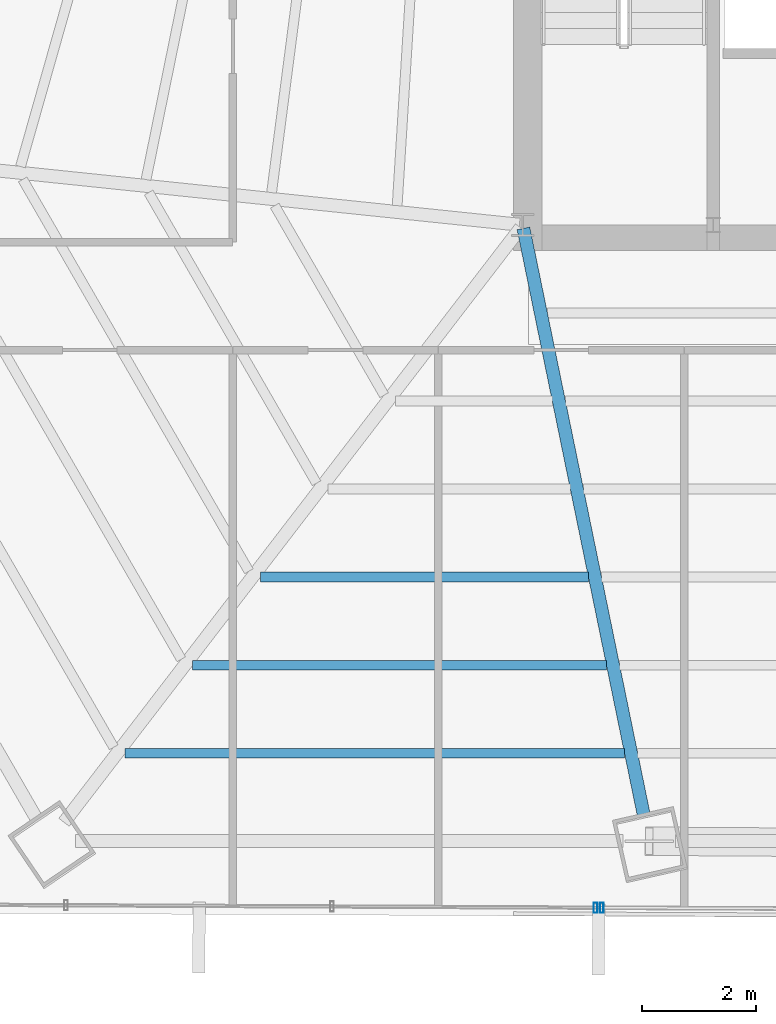
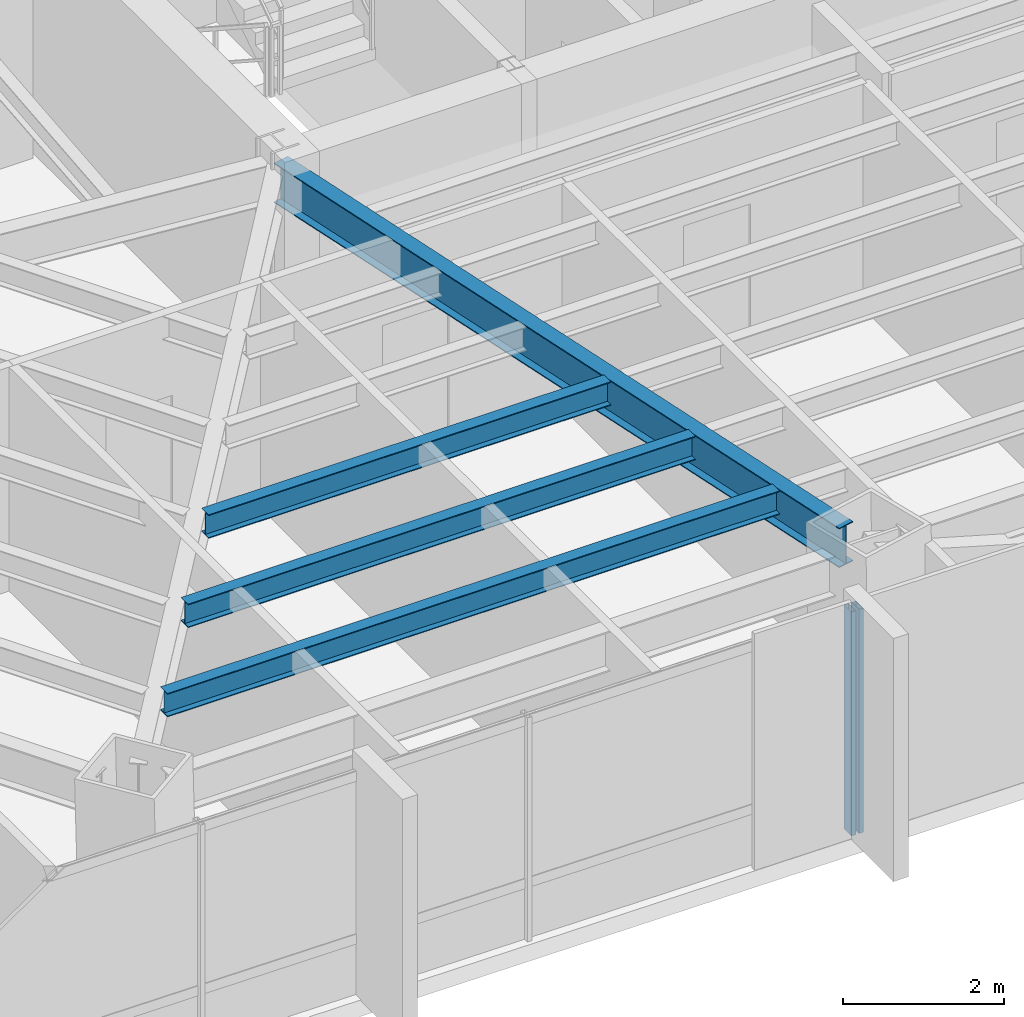
# One storey, part 8 of 36: 4 beams, 2 members, 2 elements without a shape of their own.
"""IFC4 building model written with IfcOpenShell, lengths in metres."""

from ifc_helpers import new_model, si_unit, direction, frame, origin, origin_2d, place, context, subcontext, project, spatial, hollow_rectangle, i_section, extrude, source, transform, mapped, material, material_profile, profile_set, type_object, type_shapes, element, aggregate, save


model = new_model("IFC4")

# Units and contexts
model_context = context("Model", 3, precision=1e-05, world=origin(), true_north=direction((0.0, 1.0)))
body_context = subcontext(model_context, "Body", "Model", "MODEL_VIEW")
ifc_project = project(units=[si_unit("LENGTHUNIT", "METRE"), si_unit("AREAUNIT", "SQUARE_METRE"), si_unit("VOLUMEUNIT", "CUBIC_METRE"), si_unit("PLANEANGLEUNIT", "RADIAN"), si_unit("MASSUNIT", "GRAM", prefix="KILO")], contexts=[model_context])

# Site, building, storey
site_placement = place(None, origin())
site = spatial("IfcSite", under=ifc_project, at=site_placement, CompositionType="ELEMENT")
building_placement = place(site_placement, origin())
building = spatial("IfcBuilding", under=site, at=building_placement, Name="Caelisora Broadcast Tower", CompositionType="ELEMENT")
storey_placement = place(building_placement, frame((0.0, 0.0, 112.699951171875)))
storey = spatial("IfcBuildingStorey", under=building, at=storey_placement, Name="L29", CompositionType="ELEMENT", Elevation=112.699951171875)

# Beams
ifc_material_1 = material(Name="Steel Grade 350 (AS/NZS 3679.1)", Category="steel")
ifc_material_profile_1 = material_profile(ifc_material_1, i_section(OverallWidth=0.22802734375, OverallDepth=0.602294921875, WebThickness=0.010498046875, FlangeThickness=0.014892578125, at=origin_2d()), Name="Steel Grade 350 (AS/NZS 3679.1)")
ifc_profile_set_1 = profile_set([ifc_material_profile_1], Name="Steel Grade 350 (AS/NZS 3679.1)")
beam_type_1 = type_object("IfcBeamType", Name="PG04", PredefinedType="BEAM", material=ifc_profile_set_1)
shared_shape_1 = source(origin(), body_context, "Body", "SweptSolid", [
    extrude(i_section(OverallWidth=0.22802734375, OverallDepth=0.602294921875, WebThickness=0.010498046875, FlangeThickness=0.014892578125, at=origin_2d()), origin(), (0.0, 0.0, 1.0), 10.587890625),
])
type_shapes(beam_type_1, [shared_shape_1])
beam_1_placement = place(storey_placement, frame((30.51220703125, 17.34130859375, 3.098876953125), z_axis=(0.200929392252, -0.979605726468, 0.0), x_axis=(0.979605726468, 0.200929392252, 0.0)))
element("IfcBeam", 1, at=beam_1_placement, inside=storey, type_object=beam_type_1, Name="L29 beam PG04", PredefinedType="BEAM", context=body_context, shape_type="MappedRepresentation", body=[
    mapped(shared_shape_1, transform((0.0, 0.0, 0.0), scale=1.0)),
])
ifc_material_profile_2 = material_profile(ifc_material_1, i_section(OverallWidth=0.172119140625, OverallDepth=0.358642578125, WebThickness=0.008056640625, FlangeThickness=0.012939453125, at=origin_2d()), Name="Steel Grade 350 (AS/NZS 3679.1)")
ifc_profile_set_2 = profile_set([ifc_material_profile_2], Name="Steel Grade 350 (AS/NZS 3679.1)")
beam_type_2 = type_object("IfcBeamType", Name="SB02", PredefinedType="JOIST", material=ifc_profile_set_2)
shared_shape_2 = source(origin(), body_context, "Body", "SweptSolid", [
    extrude(i_section(OverallWidth=0.172119140625, OverallDepth=0.358642578125, WebThickness=0.008056640625, FlangeThickness=0.012939453125, at=origin_2d()), origin(), (0.0, 0.0, 1.0), 5.775390625),
])
beam_2_placement = place(storey_placement, frame((25.882080078125, 11.20458984375, 3.220703125), z_axis=(1.0, 0.0, 0.0), x_axis=(0.0, 1.0, 0.0)))
element("IfcBeam", 2, at=beam_2_placement, inside=storey, type_object=beam_type_2, Name="L29 beam SB02", PredefinedType="JOIST", context=body_context, shape_type="MappedRepresentation", body=[
    mapped(shared_shape_2, transform((0.0, 0.0, 0.0), scale=1.0)),
])
shared_shape_3 = source(origin(), body_context, "Body", "SweptSolid", [
    extrude(i_section(OverallWidth=0.172119140625, OverallDepth=0.358642578125, WebThickness=0.008056640625, FlangeThickness=0.012939453125, at=origin_2d()), origin(), (0.0, 0.0, 1.0), 7.28271484375),
])
beam_3_placement = place(storey_placement, frame((24.6923828125, 9.655517578125, 3.220703125), z_axis=(1.0, 0.0, 0.0), x_axis=(0.0, 1.0, 0.0)))
element("IfcBeam", 3, at=beam_3_placement, inside=storey, type_object=beam_type_2, Name="L29 beam SB02", PredefinedType="JOIST", context=body_context, shape_type="MappedRepresentation", body=[
    mapped(shared_shape_3, transform((0.0, 0.0, 0.0), scale=1.0)),
])
shared_shape_4 = source(origin(), body_context, "Body", "SweptSolid", [
    extrude(i_section(OverallWidth=0.172119140625, OverallDepth=0.358642578125, WebThickness=0.008056640625, FlangeThickness=0.012939453125, at=origin_2d()), origin(), (0.0, 0.0, 1.0), 8.790283203125),
])
type_shapes(beam_type_2, [shared_shape_2, shared_shape_3, shared_shape_4])
beam_4_placement = place(storey_placement, frame((23.502685546875, 8.106689453125, 3.220703125), z_axis=(1.0, 0.0, 0.0), x_axis=(0.0, 1.0, 0.0)))
element("IfcBeam", 4, at=beam_4_placement, inside=storey, type_object=beam_type_2, Name="L29 beam SB02", PredefinedType="JOIST", context=body_context, shape_type="MappedRepresentation", body=[
    mapped(shared_shape_4, transform((0.0, 0.0, 0.0), scale=1.0)),
])

# Curtain wall, member
ifc_material_2 = material(Name="Unitised Aluminium Insulated Shadow-Box Spandrel Curtain Wall", Category="aluminium")
curtain_wall_type_1 = type_object("IfcCurtainWallType", Name="CW-SP1", PredefinedType="NOTDEFINED", material=ifc_material_2)
curtain_wall_1_placement = place(storey_placement, origin())
curtain_wall_1 = element("IfcCurtainWall", 5, at=curtain_wall_1_placement, inside=storey, type_object=curtain_wall_type_1, Name="L29 curtain wall CW-SP1", PredefinedType="NOTDEFINED")
ifc_material_3 = material(Name="Aluminium 6063-T6 Anodised Terracotta Bronze", Category="aluminium")
ifc_material_profile_3 = material_profile(ifc_material_3, hollow_rectangle(XDim=0.06494140625, YDim=0.179931640625, WallThickness=0.00341796875, at=origin_2d()), Name="Aluminium 6063-T6 Anodised Terracotta Bronze")
ifc_profile_set_3 = profile_set([ifc_material_profile_3], Name="Aluminium 6063-T6 Anodised Terracotta Bronze")
member_type = type_object("IfcMemberType", Name="CWM-02", PredefinedType="MULLION", material=ifc_profile_set_3)
shared_shape_5 = source(origin(), body_context, "Body", "SweptSolid", [
    extrude(hollow_rectangle(XDim=0.06494140625, YDim=0.179931640625, WallThickness=0.00341796875, at=origin_2d()), origin(), (0.0, 0.0, 1.0), 3.400146484375),
])
type_shapes(member_type, [shared_shape_5])
member_1_placement = place(storey_placement, frame((31.890380859375, 5.3876953125, 0.0), z_axis=(0.0, 0.0, 1.0), x_axis=(1.0, 0.0, 0.0)))
member_1 = element("IfcMember", 6, at=member_1_placement, type_object=member_type, Name="L29-CW-B06 mullion #3", PredefinedType="MULLION", context=body_context, shape_type="MappedRepresentation", body=[
    mapped(shared_shape_5, transform((0.0, 0.0, 0.0), scale=1.0)),
])
aggregate(curtain_wall_1, [member_1])

ifc_material_4 = material(Name="Unitised Aluminium and Low-E Glass Curtain Wall", Category="glass")
curtain_wall_type_2 = type_object("IfcCurtainWallType", Name="CW-Z2", PredefinedType="NOTDEFINED", material=ifc_material_4)
curtain_wall_2_placement = place(storey_placement, origin())
curtain_wall_2 = element("IfcCurtainWall", 7, at=curtain_wall_2_placement, inside=storey, type_object=curtain_wall_type_2, Name="L29 curtain wall CW-Z2", PredefinedType="NOTDEFINED")
member_2_placement = place(storey_placement, frame((31.780517578125, 5.38818359375, 0.0), z_axis=(0.0, 0.0, 1.0), x_axis=(1.0, 0.0, 0.0)))
member_2 = element("IfcMember", 8, at=member_2_placement, type_object=member_type, Name="L29-CW-B07 mullion #0", PredefinedType="MULLION", context=body_context, shape_type="MappedRepresentation", body=[
    mapped(shared_shape_5, transform((0.0, 0.0, 0.0), scale=1.0)),
])
aggregate(curtain_wall_2, [member_2])

save(model, "model.ifc")
